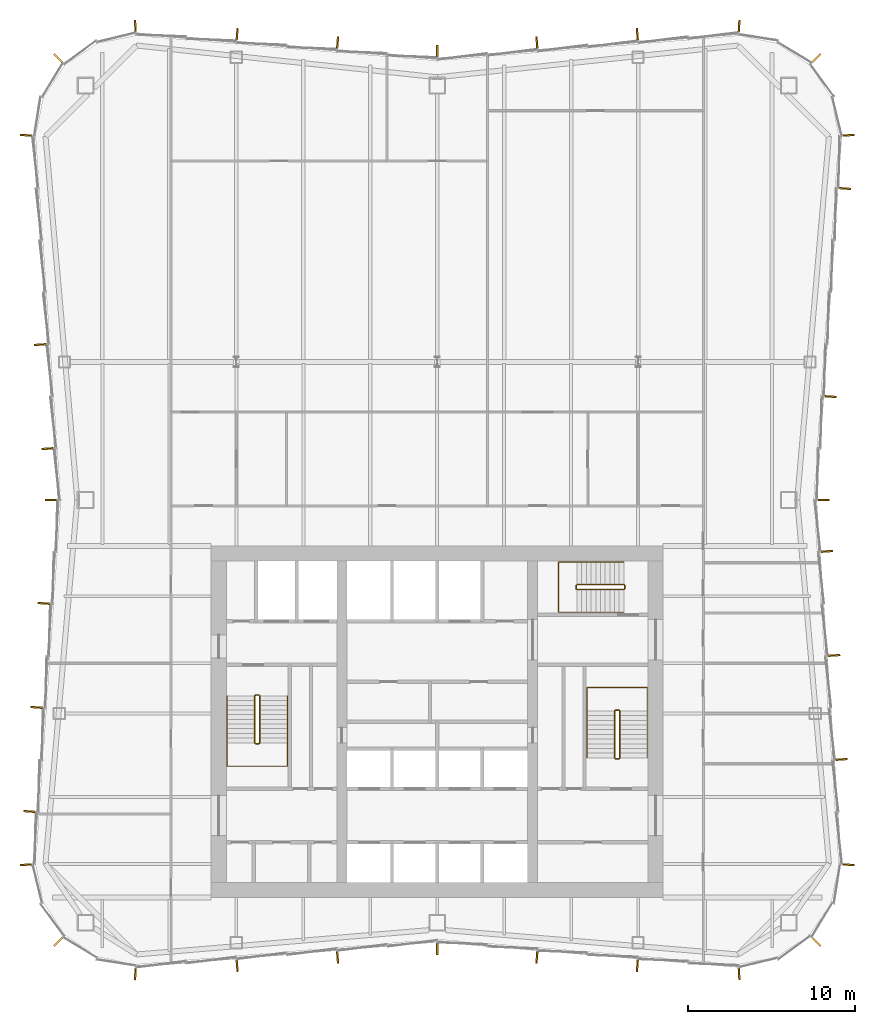
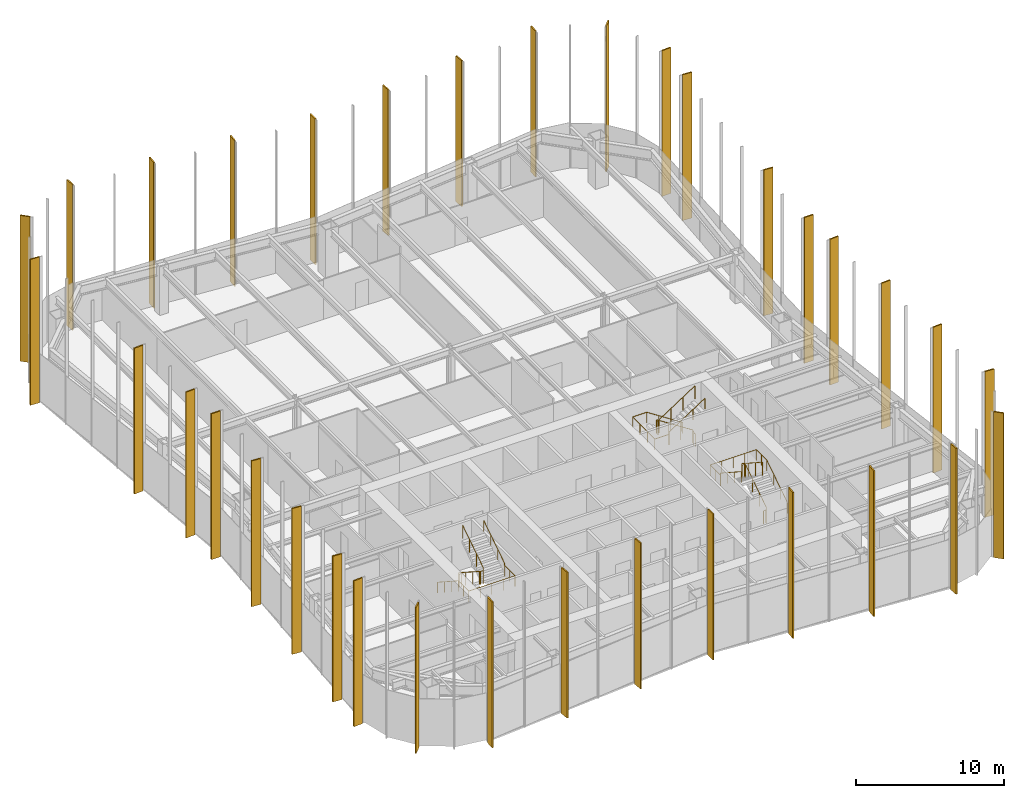
# One storey, part 13 of 13: 34 shading devices, 6 railings.
"""IFC4 building model written with IfcOpenShell, lengths in metres."""

from ifc_helpers import new_model, si_unit, direction, frame, origin, origin_2d, place, context, subcontext, project, spatial, rectangle, circle, extrude, material, layer, layer_set, type_object, element, save


model = new_model("IFC4")

# Units and contexts
model_context = context("Model", 3, precision=1e-05, world=origin(), true_north=direction((0.0, 1.0)))
body_context = subcontext(model_context, "Body", "Model", "MODEL_VIEW")
ifc_project = project(units=[si_unit("LENGTHUNIT", "METRE"), si_unit("AREAUNIT", "SQUARE_METRE"), si_unit("VOLUMEUNIT", "CUBIC_METRE"), si_unit("PLANEANGLEUNIT", "RADIAN"), si_unit("MASSUNIT", "GRAM", prefix="KILO")], contexts=[model_context])

# Site, building, storey
site_placement = place(None, origin())
site = spatial("IfcSite", under=ifc_project, at=site_placement, CompositionType="ELEMENT")
building_placement = place(site_placement, origin())
building = spatial("IfcBuilding", under=site, at=building_placement, Name="Verdant Reach Tower", CompositionType="ELEMENT")
storey_placement = place(building_placement, frame((0.0, 0.0, 206.0)))
storey = spatial("IfcBuildingStorey", under=building, at=storey_placement, Name="L47", CompositionType="ELEMENT", Elevation=206.0)

# Railings
ifc_material_1 = material(Name="Stainless steel", Category="steel")
railing_type_1 = type_object("IfcRailingType", Name="CO-GUARD", PredefinedType="GUARDRAIL", material=ifc_material_1)
railing_1_placement = place(storey_placement, frame((-10.64990234375, 29.60009765625, 0.0)))
element("IfcRailing", 1, at=railing_1_placement, inside=storey, type_object=railing_type_1, Name="L47 ST-1 stair guard 1", PredefinedType="GUARDRAIL", context=body_context, shape_type="SweptSolid", body=[
    extrude(circle(Radius=0.02392578125, at=origin_2d()), frame((0.0, 0.0, 1.076171875), z_axis=(-1.0, 0.0, 0.0), x_axis=(0.0, -1.0, 0.0)), (0.0, 0.0, 1.0), 0.2001953125),
    extrude(circle(Radius=0.02392578125, at=origin_2d()), frame((-0.2001953125, 0.0, 1.076171875), z_axis=(-0.25526617399, -0.256517478764, 0.932222056972), x_axis=(0.708833529934, -0.705375805398, 0.0)), (0.0, 0.0, 1.0), 0.195068359375),
    extrude(circle(Radius=0.02392578125, at=origin_2d()), frame((-0.25, -0.050048828125, 1.2578125), z_axis=(0.0, -0.838705829183, 0.544584733623), x_axis=(1.0, 0.0, 0.0)), (0.0, 0.0, 1.0), 3.338623046875),
    extrude(circle(Radius=0.02392578125, at=origin_2d()), frame((-0.25, -2.85009765625, 3.076171875), z_axis=(0.705375805398, -0.708833529934, 0.0), x_axis=(0.708833529934, 0.705375805398, 0.0)), (0.0, 0.0, 1.0), 0.070556640625),
    extrude(circle(Radius=0.02392578125, at=origin_2d()), frame((-0.2001953125, -2.900146484375, 3.076171875), z_axis=(1.0, 0.0, 0.0), x_axis=(0.0, 1.0, 0.0)), (0.0, 0.0, 1.0), 0.2001953125),
    extrude(circle(Radius=0.02392578125, at=origin_2d()), frame((0.0, -2.900146484375, 3.076171875), z_axis=(0.25526617399, 0.256517478764, 0.932222056972), x_axis=(-0.708833529934, 0.705375805398, 0.0)), (0.0, 0.0, 1.0), 0.195068359375),
    extrude(circle(Radius=0.02392578125, at=origin_2d()), frame((0.0498046875, -2.85009765625, 3.2578125), z_axis=(0.0, 0.838705829183, 0.544584733623), x_axis=(-1.0, 0.0, 0.0)), (0.0, 0.0, 1.0), 3.338623046875),
    extrude(circle(Radius=0.02099609375, at=origin_2d()), origin(), (0.0, 0.0, 1.0), 1.052001953125),
    extrude(circle(Radius=0.02099609375, at=origin_2d()), frame((-0.2001953125, 0.0, 0.0)), (0.0, 0.0, 1.0), 1.052001953125),
    extrude(circle(Radius=0.02099609375, at=origin_2d()), frame((-0.25, -0.050048828125, 0.181884765625)), (0.0, 0.0, 1.0), 1.052001953125),
    extrude(circle(Radius=0.02099609375, at=origin_2d()), frame((-0.25, -0.9833984375, 0.787841796875)), (0.0, 0.0, 1.0), 1.052001953125),
    extrude(circle(Radius=0.02099609375, at=origin_2d()), frame((-0.25, -1.916748046875, 1.39404296875)), (0.0, 0.0, 1.0), 1.052001953125),
    extrude(circle(Radius=0.02099609375, at=origin_2d()), frame((-0.25, -2.85009765625, 2.0)), (0.0, 0.0, 1.0), 1.052001953125),
    extrude(circle(Radius=0.02099609375, at=origin_2d()), frame((-0.2001953125, -2.900146484375, 2.0)), (0.0, 0.0, 1.0), 1.052001953125),
    extrude(circle(Radius=0.02099609375, at=origin_2d()), frame((0.0, -2.900146484375, 2.0)), (0.0, 0.0, 1.0), 1.052001953125),
    extrude(circle(Radius=0.02099609375, at=origin_2d()), frame((0.0498046875, -2.85009765625, 2.181884765625)), (0.0, 0.0, 1.0), 1.052001953125),
    extrude(circle(Radius=0.02099609375, at=origin_2d()), frame((0.0498046875, -1.916748046875, 2.787841796875)), (0.0, 0.0, 1.0), 1.052001953125),
    extrude(circle(Radius=0.02099609375, at=origin_2d()), frame((0.0498046875, -0.9833984375, 3.39404296875)), (0.0, 0.0, 1.0), 1.052001953125),
    extrude(circle(Radius=0.02099609375, at=origin_2d()), frame((0.0498046875, -0.050048828125, 4.0)), (0.0, 0.0, 1.0), 1.052001953125),
])
railing_2_placement = place(storey_placement, frame((10.64990234375, 25.800048828125, 0.0)))
element("IfcRailing", 2, at=railing_2_placement, inside=storey, type_object=railing_type_1, Name="L47 ST-2 stair guard 1", PredefinedType="GUARDRAIL", context=body_context, shape_type="SweptSolid", body=[
    extrude(circle(Radius=0.02392578125, at=origin_2d()), frame((0.0, 0.0, 1.076171875), z_axis=(1.0, 0.0, 0.0), x_axis=(0.0, 1.0, 0.0)), (0.0, 0.0, 1.0), 0.2001953125),
    extrude(circle(Radius=0.02392578125, at=origin_2d()), frame((0.2001953125, 0.0, 1.076171875), z_axis=(0.25526617399, 0.256517478764, 0.932222056972), x_axis=(-0.708833529934, 0.705375805398, 0.0)), (0.0, 0.0, 1.0), 0.195068359375),
    extrude(circle(Radius=0.02392578125, at=origin_2d()), frame((0.25, 0.050048828125, 1.2578125), z_axis=(0.0, 0.83868413941, 0.544618136222), x_axis=(-1.0, 0.0, 0.0)), (0.0, 0.0, 1.0), 3.33837890625),
    extrude(circle(Radius=0.02392578125, at=origin_2d()), frame((0.25, 2.849853515625, 3.076171875), z_axis=(-0.705375805398, 0.708833529934, 0.0), x_axis=(-0.708833529934, -0.705375805398, 0.0)), (0.0, 0.0, 1.0), 0.070556640625),
    extrude(circle(Radius=0.02392578125, at=origin_2d()), frame((0.2001953125, 2.89990234375, 3.076171875), z_axis=(-1.0, 0.0, 0.0), x_axis=(0.0, -1.0, 0.0)), (0.0, 0.0, 1.0), 0.2001953125),
    extrude(circle(Radius=0.02392578125, at=origin_2d()), frame((0.0, 2.89990234375, 3.076171875), z_axis=(-0.25526617399, -0.256517478764, 0.932222056972), x_axis=(0.708833529934, -0.705375805398, 0.0)), (0.0, 0.0, 1.0), 0.195068359375),
    extrude(circle(Radius=0.02392578125, at=origin_2d()), frame((-0.0498046875, 2.849853515625, 3.2578125), z_axis=(0.0, -0.83868413941, 0.544618136222), x_axis=(1.0, 0.0, 0.0)), (0.0, 0.0, 1.0), 3.33837890625),
    extrude(circle(Radius=0.02099609375, at=origin_2d()), origin(), (0.0, 0.0, 1.0), 1.052001953125),
    extrude(circle(Radius=0.02099609375, at=origin_2d()), frame((0.2001953125, 0.0, 0.0)), (0.0, 0.0, 1.0), 1.052001953125),
    extrude(circle(Radius=0.02099609375, at=origin_2d()), frame((0.25, 0.050048828125, 0.181884765625)), (0.0, 0.0, 1.0), 1.052001953125),
    extrude(circle(Radius=0.02099609375, at=origin_2d()), frame((0.25, 0.9833984375, 0.787841796875)), (0.0, 0.0, 1.0), 1.052001953125),
    extrude(circle(Radius=0.02099609375, at=origin_2d()), frame((0.25, 1.91650390625, 1.39404296875)), (0.0, 0.0, 1.0), 1.052001953125),
    extrude(circle(Radius=0.02099609375, at=origin_2d()), frame((0.25, 2.849853515625, 2.0)), (0.0, 0.0, 1.0), 1.052001953125),
    extrude(circle(Radius=0.02099609375, at=origin_2d()), frame((0.2001953125, 2.89990234375, 2.0)), (0.0, 0.0, 1.0), 1.052001953125),
    extrude(circle(Radius=0.02099609375, at=origin_2d()), frame((0.0, 2.89990234375, 2.0)), (0.0, 0.0, 1.0), 1.052001953125),
    extrude(circle(Radius=0.02099609375, at=origin_2d()), frame((-0.0498046875, 2.849853515625, 2.181884765625)), (0.0, 0.0, 1.0), 1.052001953125),
    extrude(circle(Radius=0.02099609375, at=origin_2d()), frame((-0.0498046875, 1.91650390625, 2.787841796875)), (0.0, 0.0, 1.0), 1.052001953125),
    extrude(circle(Radius=0.02099609375, at=origin_2d()), frame((-0.0498046875, 0.9833984375, 3.39404296875)), (0.0, 0.0, 1.0), 1.052001953125),
    extrude(circle(Radius=0.02099609375, at=origin_2d()), frame((-0.0498046875, 0.050048828125, 4.0)), (0.0, 0.0, 1.0), 1.052001953125),
])
railing_3_placement = place(storey_placement, frame((11.199951171875, 35.949951171875, 0.0)))
element("IfcRailing", 3, at=railing_3_placement, inside=storey, type_object=railing_type_1, Name="L47 ST-3 stair guard 1", PredefinedType="GUARDRAIL", context=body_context, shape_type="SweptSolid", body=[
    extrude(circle(Radius=0.02392578125, at=origin_2d()), frame((0.0, 0.0, 1.076171875), z_axis=(0.0, 1.0, 0.0), x_axis=(-1.0, 0.0, 0.0)), (0.0, 0.0, 1.0), 0.199951171875),
    extrude(circle(Radius=0.02392578125, at=origin_2d()), frame((0.0, 0.199951171875, 1.076171875), z_axis=(-0.256435381639, 0.256435381639, 0.931923704005), x_axis=(-0.707106781187, -0.707106781187, 0.0)), (0.0, 0.0, 1.0), 0.195068359375),
    extrude(circle(Radius=0.02392578125, at=origin_2d()), frame((-0.050048828125, 0.25, 1.2578125), z_axis=(-0.83868413941, 0.0, 0.544618136222), x_axis=(0.0, -1.0, 0.0)), (0.0, 0.0, 1.0), 3.33837890625),
    extrude(circle(Radius=0.02392578125, at=origin_2d()), frame((-2.849853515625, 0.25, 3.076171875), z_axis=(-0.707106781187, -0.707106781187, 0.0), x_axis=(0.707106781187, -0.707106781187, 0.0)), (0.0, 0.0, 1.0), 0.07080078125),
    extrude(circle(Radius=0.02392578125, at=origin_2d()), frame((-2.89990234375, 0.199951171875, 3.076171875), z_axis=(0.0, -1.0, 0.0), x_axis=(1.0, 0.0, 0.0)), (0.0, 0.0, 1.0), 0.199951171875),
    extrude(circle(Radius=0.02392578125, at=origin_2d()), frame((-2.89990234375, 0.0, 3.076171875), z_axis=(0.256435381639, -0.256435381639, 0.931923704005), x_axis=(0.707106781187, 0.707106781187, 0.0)), (0.0, 0.0, 1.0), 0.195068359375),
    extrude(circle(Radius=0.02392578125, at=origin_2d()), frame((-2.849853515625, -0.050048828125, 3.2578125), z_axis=(0.83868413941, 0.0, 0.544618136222), x_axis=(0.0, 1.0, 0.0)), (0.0, 0.0, 1.0), 3.33837890625),
    extrude(circle(Radius=0.02099609375, at=origin_2d()), origin(), (0.0, 0.0, 1.0), 1.052001953125),
    extrude(circle(Radius=0.02099609375, at=origin_2d()), frame((0.0, 0.199951171875, 0.0)), (0.0, 0.0, 1.0), 1.052001953125),
    extrude(circle(Radius=0.02099609375, at=origin_2d()), frame((-0.050048828125, 0.25, 0.181884765625)), (0.0, 0.0, 1.0), 1.052001953125),
    extrude(circle(Radius=0.02099609375, at=origin_2d()), frame((-0.9833984375, 0.25, 0.787841796875)), (0.0, 0.0, 1.0), 1.052001953125),
    extrude(circle(Radius=0.02099609375, at=origin_2d()), frame((-1.91650390625, 0.25, 1.39404296875)), (0.0, 0.0, 1.0), 1.052001953125),
    extrude(circle(Radius=0.02099609375, at=origin_2d()), frame((-2.849853515625, 0.25, 2.0)), (0.0, 0.0, 1.0), 1.052001953125),
    extrude(circle(Radius=0.02099609375, at=origin_2d()), frame((-2.89990234375, 0.199951171875, 2.0)), (0.0, 0.0, 1.0), 1.052001953125),
    extrude(circle(Radius=0.02099609375, at=origin_2d()), frame((-2.89990234375, 0.0, 2.0)), (0.0, 0.0, 1.0), 1.052001953125),
    extrude(circle(Radius=0.02099609375, at=origin_2d()), frame((-2.849853515625, -0.050048828125, 2.181884765625)), (0.0, 0.0, 1.0), 1.052001953125),
    extrude(circle(Radius=0.02099609375, at=origin_2d()), frame((-1.91650390625, -0.050048828125, 2.787841796875)), (0.0, 0.0, 1.0), 1.052001953125),
    extrude(circle(Radius=0.02099609375, at=origin_2d()), frame((-0.9833984375, -0.050048828125, 3.39404296875)), (0.0, 0.0, 1.0), 1.052001953125),
    extrude(circle(Radius=0.02099609375, at=origin_2d()), frame((-0.050048828125, -0.050048828125, 4.0)), (0.0, 0.0, 1.0), 1.052001953125),
])
railing_type_2 = type_object("IfcRailingType", Name="CO-HANDRAIL", PredefinedType="HANDRAIL", material=ifc_material_1)
railing_4_placement = place(storey_placement, frame((-12.550048828125, 29.550048828125, 0.181884765625)))
element("IfcRailing", 4, at=railing_4_placement, inside=storey, type_object=railing_type_2, Name="L47 ST-1 stair handrail 1", PredefinedType="HANDRAIL", context=body_context, shape_type="SweptSolid", body=[
    extrude(circle(Radius=0.02392578125, at=origin_2d()), frame((0.0, 0.0, 0.8759765625), z_axis=(0.0, -0.838705829183, 0.544584733623), x_axis=(1.0, 0.0, 0.0)), (0.0, 0.0, 1.0), 3.338623046875),
    extrude(circle(Radius=0.02392578125, at=origin_2d()), frame((0.0, -2.800048828125, 2.69384765625), z_axis=(0.0, -1.0, 0.0), x_axis=(1.0, 0.0, 0.0)), (0.0, 0.0, 1.0), 1.39990234375),
    extrude(circle(Radius=0.02392578125, at=origin_2d()), frame((0.0, -4.199951171875, 2.69384765625), z_axis=(1.0, 0.0, 0.0), x_axis=(0.0, 1.0, 0.0)), (0.0, 0.0, 1.0), 3.60009765625),
    extrude(circle(Radius=0.02392578125, at=origin_2d()), frame((3.60009765625, -4.199951171875, 2.69384765625), z_axis=(0.0, 1.0, 0.0), x_axis=(-1.0, 0.0, 0.0)), (0.0, 0.0, 1.0), 1.39990234375),
    extrude(circle(Radius=0.02392578125, at=origin_2d()), frame((3.60009765625, -2.800048828125, 2.69384765625), z_axis=(0.0, 0.0, 1.0), x_axis=(1.0, 0.0, 0.0)), (0.0, 0.0, 1.0), 0.181884765625),
    extrude(circle(Radius=0.02392578125, at=origin_2d()), frame((3.60009765625, -2.800048828125, 2.8759765625), z_axis=(0.0, 0.838705829183, 0.544584733623), x_axis=(-1.0, 0.0, 0.0)), (0.0, 0.0, 1.0), 3.338623046875),
    extrude(circle(Radius=0.02099609375, at=origin_2d()), origin(), (0.0, 0.0, 1.0), 0.851806640625),
    extrude(circle(Radius=0.02099609375, at=origin_2d()), frame((0.0, -0.933349609375, 0.60595703125)), (0.0, 0.0, 1.0), 0.851806640625),
    extrude(circle(Radius=0.02099609375, at=origin_2d()), frame((0.0, -1.86669921875, 1.212158203125)), (0.0, 0.0, 1.0), 0.851806640625),
    extrude(circle(Radius=0.02099609375, at=origin_2d()), frame((0.0, -2.800048828125, 1.818115234375)), (0.0, 0.0, 1.0), 0.851806640625),
    extrude(circle(Radius=0.02099609375, at=origin_2d()), frame((0.0, -3.5, 1.818115234375)), (0.0, 0.0, 1.0), 0.851806640625),
    extrude(circle(Radius=0.02099609375, at=origin_2d()), frame((0.0, -4.199951171875, 1.818115234375)), (0.0, 0.0, 1.0), 0.851806640625),
    extrude(circle(Radius=0.02099609375, at=origin_2d()), frame((0.89990234375, -4.199951171875, 1.818115234375)), (0.0, 0.0, 1.0), 0.851806640625),
    extrude(circle(Radius=0.02099609375, at=origin_2d()), frame((1.800048828125, -4.199951171875, 1.818115234375)), (0.0, 0.0, 1.0), 0.851806640625),
    extrude(circle(Radius=0.02099609375, at=origin_2d()), frame((2.7001953125, -4.199951171875, 1.818115234375)), (0.0, 0.0, 1.0), 0.851806640625),
    extrude(circle(Radius=0.02099609375, at=origin_2d()), frame((3.60009765625, -4.199951171875, 1.818115234375)), (0.0, 0.0, 1.0), 0.851806640625),
    extrude(circle(Radius=0.02099609375, at=origin_2d()), frame((3.60009765625, -3.5, 1.818115234375)), (0.0, 0.0, 1.0), 0.851806640625),
    extrude(circle(Radius=0.02099609375, at=origin_2d()), frame((3.60009765625, -2.800048828125, 1.818115234375)), (0.0, 0.0, 1.0), 0.851806640625),
    extrude(circle(Radius=0.02099609375, at=origin_2d()), frame((3.60009765625, -2.800048828125, 2.0)), (0.0, 0.0, 1.0), 0.851806640625),
    extrude(circle(Radius=0.02099609375, at=origin_2d()), frame((3.60009765625, -1.86669921875, 2.60595703125)), (0.0, 0.0, 1.0), 0.851806640625),
    extrude(circle(Radius=0.02099609375, at=origin_2d()), frame((3.60009765625, -0.933349609375, 3.212158203125)), (0.0, 0.0, 1.0), 0.851806640625),
    extrude(circle(Radius=0.02099609375, at=origin_2d()), frame((3.60009765625, 0.0, 3.818115234375)), (0.0, 0.0, 1.0), 0.851806640625),
])
railing_5_placement = place(storey_placement, frame((12.550048828125, 25.85009765625, 0.181884765625)))
element("IfcRailing", 5, at=railing_5_placement, inside=storey, type_object=railing_type_2, Name="L47 ST-2 stair handrail 1", PredefinedType="HANDRAIL", context=body_context, shape_type="SweptSolid", body=[
    extrude(circle(Radius=0.02392578125, at=origin_2d()), frame((0.0, 0.0, 0.8759765625), z_axis=(0.0, 0.83868413941, 0.544618136222), x_axis=(-1.0, 0.0, 0.0)), (0.0, 0.0, 1.0), 3.33837890625),
    extrude(circle(Radius=0.02392578125, at=origin_2d()), frame((0.0, 2.7998046875, 2.69384765625), z_axis=(0.0, 1.0, 0.0), x_axis=(-1.0, 0.0, 0.0)), (0.0, 0.0, 1.0), 1.400146484375),
    extrude(circle(Radius=0.02392578125, at=origin_2d()), frame((0.0, 4.199951171875, 2.69384765625), z_axis=(-1.0, 0.0, 0.0), x_axis=(0.0, -1.0, 0.0)), (0.0, 0.0, 1.0), 3.60009765625),
    extrude(circle(Radius=0.02392578125, at=origin_2d()), frame((-3.60009765625, 4.199951171875, 2.69384765625), z_axis=(0.0, -1.0, 0.0), x_axis=(1.0, 0.0, 0.0)), (0.0, 0.0, 1.0), 1.400146484375),
    extrude(circle(Radius=0.02392578125, at=origin_2d()), frame((-3.60009765625, 2.7998046875, 2.69384765625), z_axis=(0.0, 0.0, 1.0), x_axis=(1.0, 0.0, 0.0)), (0.0, 0.0, 1.0), 0.181884765625),
    extrude(circle(Radius=0.02392578125, at=origin_2d()), frame((-3.60009765625, 2.7998046875, 2.8759765625), z_axis=(0.0, -0.83868413941, 0.544618136222), x_axis=(1.0, 0.0, 0.0)), (0.0, 0.0, 1.0), 3.33837890625),
    extrude(circle(Radius=0.02099609375, at=origin_2d()), origin(), (0.0, 0.0, 1.0), 0.851806640625),
    extrude(circle(Radius=0.02099609375, at=origin_2d()), frame((0.0, 0.933349609375, 0.60595703125)), (0.0, 0.0, 1.0), 0.851806640625),
    extrude(circle(Radius=0.02099609375, at=origin_2d()), frame((0.0, 1.866455078125, 1.212158203125)), (0.0, 0.0, 1.0), 0.851806640625),
    extrude(circle(Radius=0.02099609375, at=origin_2d()), frame((0.0, 2.7998046875, 1.818115234375)), (0.0, 0.0, 1.0), 0.851806640625),
    extrude(circle(Radius=0.02099609375, at=origin_2d()), frame((0.0, 3.5, 1.818115234375)), (0.0, 0.0, 1.0), 0.851806640625),
    extrude(circle(Radius=0.02099609375, at=origin_2d()), frame((0.0, 4.199951171875, 1.818115234375)), (0.0, 0.0, 1.0), 0.851806640625),
    extrude(circle(Radius=0.02099609375, at=origin_2d()), frame((-0.89990234375, 4.199951171875, 1.818115234375)), (0.0, 0.0, 1.0), 0.851806640625),
    extrude(circle(Radius=0.02099609375, at=origin_2d()), frame((-1.800048828125, 4.199951171875, 1.818115234375)), (0.0, 0.0, 1.0), 0.851806640625),
    extrude(circle(Radius=0.02099609375, at=origin_2d()), frame((-2.7001953125, 4.199951171875, 1.818115234375)), (0.0, 0.0, 1.0), 0.851806640625),
    extrude(circle(Radius=0.02099609375, at=origin_2d()), frame((-3.60009765625, 4.199951171875, 1.818115234375)), (0.0, 0.0, 1.0), 0.851806640625),
    extrude(circle(Radius=0.02099609375, at=origin_2d()), frame((-3.60009765625, 3.5, 1.818115234375)), (0.0, 0.0, 1.0), 0.851806640625),
    extrude(circle(Radius=0.02099609375, at=origin_2d()), frame((-3.60009765625, 2.7998046875, 1.818115234375)), (0.0, 0.0, 1.0), 0.851806640625),
    extrude(circle(Radius=0.02099609375, at=origin_2d()), frame((-3.60009765625, 2.7998046875, 2.0)), (0.0, 0.0, 1.0), 0.851806640625),
    extrude(circle(Radius=0.02099609375, at=origin_2d()), frame((-3.60009765625, 1.866455078125, 2.60595703125)), (0.0, 0.0, 1.0), 0.851806640625),
    extrude(circle(Radius=0.02099609375, at=origin_2d()), frame((-3.60009765625, 0.933349609375, 3.212158203125)), (0.0, 0.0, 1.0), 0.851806640625),
    extrude(circle(Radius=0.02099609375, at=origin_2d()), frame((-3.60009765625, 0.0, 3.818115234375)), (0.0, 0.0, 1.0), 0.851806640625),
])
railing_6_placement = place(storey_placement, frame((11.14990234375, 37.550048828125, 0.181884765625)))
element("IfcRailing", 6, at=railing_6_placement, inside=storey, type_object=railing_type_2, Name="L47 ST-3 stair handrail 1", PredefinedType="HANDRAIL", context=body_context, shape_type="SweptSolid", body=[
    extrude(circle(Radius=0.02392578125, at=origin_2d()), frame((0.0, 0.0, 0.8759765625), z_axis=(-0.83868413941, 0.0, 0.544618136222), x_axis=(0.0, -1.0, 0.0)), (0.0, 0.0, 1.0), 3.33837890625),
    extrude(circle(Radius=0.02392578125, at=origin_2d()), frame((-2.7998046875, 0.0, 2.69384765625), z_axis=(-1.0, 0.0, 0.0), x_axis=(0.0, -1.0, 0.0)), (0.0, 0.0, 1.0), 1.10009765625),
    extrude(circle(Radius=0.02392578125, at=origin_2d()), frame((-3.89990234375, 0.0, 2.69384765625), z_axis=(0.0, -1.0, 0.0), x_axis=(1.0, 0.0, 0.0)), (0.0, 0.0, 1.0), 3.0),
    extrude(circle(Radius=0.02392578125, at=origin_2d()), frame((-3.89990234375, -3.0, 2.69384765625), z_axis=(1.0, 0.0, 0.0), x_axis=(0.0, 1.0, 0.0)), (0.0, 0.0, 1.0), 1.10009765625),
    extrude(circle(Radius=0.02392578125, at=origin_2d()), frame((-2.7998046875, -3.0, 2.69384765625), z_axis=(0.0, 0.0, 1.0), x_axis=(1.0, 0.0, 0.0)), (0.0, 0.0, 1.0), 0.181884765625),
    extrude(circle(Radius=0.02392578125, at=origin_2d()), frame((-2.7998046875, -3.0, 2.8759765625), z_axis=(0.83868413941, 0.0, 0.544618136222), x_axis=(0.0, 1.0, 0.0)), (0.0, 0.0, 1.0), 3.33837890625),
    extrude(circle(Radius=0.02099609375, at=origin_2d()), origin(), (0.0, 0.0, 1.0), 0.851806640625),
    extrude(circle(Radius=0.02099609375, at=origin_2d()), frame((-0.933349609375, 0.0, 0.60595703125)), (0.0, 0.0, 1.0), 0.851806640625),
    extrude(circle(Radius=0.02099609375, at=origin_2d()), frame((-1.866455078125, 0.0, 1.212158203125)), (0.0, 0.0, 1.0), 0.851806640625),
    extrude(circle(Radius=0.02099609375, at=origin_2d()), frame((-2.7998046875, 0.0, 1.818115234375)), (0.0, 0.0, 1.0), 0.851806640625),
    extrude(circle(Radius=0.02099609375, at=origin_2d()), frame((-3.89990234375, 0.0, 1.818115234375)), (0.0, 0.0, 1.0), 0.851806640625),
    extrude(circle(Radius=0.02099609375, at=origin_2d()), frame((-3.89990234375, -1.0, 1.818115234375)), (0.0, 0.0, 1.0), 0.851806640625),
    extrude(circle(Radius=0.02099609375, at=origin_2d()), frame((-3.89990234375, -2.0, 1.818115234375)), (0.0, 0.0, 1.0), 0.851806640625),
    extrude(circle(Radius=0.02099609375, at=origin_2d()), frame((-3.89990234375, -3.0, 1.818115234375)), (0.0, 0.0, 1.0), 0.851806640625),
    extrude(circle(Radius=0.02099609375, at=origin_2d()), frame((-2.7998046875, -3.0, 1.818115234375)), (0.0, 0.0, 1.0), 0.851806640625),
    extrude(circle(Radius=0.02099609375, at=origin_2d()), frame((-2.7998046875, -3.0, 2.0)), (0.0, 0.0, 1.0), 0.851806640625),
    extrude(circle(Radius=0.02099609375, at=origin_2d()), frame((-1.866455078125, -3.0, 2.60595703125)), (0.0, 0.0, 1.0), 0.851806640625),
    extrude(circle(Radius=0.02099609375, at=origin_2d()), frame((-0.933349609375, -3.0, 3.212158203125)), (0.0, 0.0, 1.0), 0.851806640625),
    extrude(circle(Radius=0.02099609375, at=origin_2d()), frame((0.0, -3.0, 3.818115234375)), (0.0, 0.0, 1.0), 0.851806640625),
])

# Shading devices
ifc_material_2 = material(Name="Bronze fin, champagne", Category="aluminium")
ifc_layer_1 = layer(ifc_material_2, 0.10009765625)
ifc_layer_set_1 = layer_set([ifc_layer_1], Name="EN-FIN CHAMPAGNE")
shading_device_type_1 = type_object("IfcShadingDeviceType", Name="EN-FIN CHAMPAGNE", PredefinedType="USERDEFINED", material=ifc_layer_set_1)
for number, where, z_axis, x_axis, name in (
    (7, (18.0322265625, 12.932861328125, -0.35009765625), (0.0, 0.0, 1.0), (0.998398681387, 0.056569187765, 0.0), "Fin south-east corner 1, L47"),
    (8, (23.70947265625, 31.967529296875, -0.35009765625), (0.0, 0.0, 1.0), (-0.068802091615, 0.997630328423, 0.0), "Fin east face part 1 5, L47"),
    (9, (23.281005859375, 38.181884765625, -0.35009765625), (0.0, 0.0, 1.0), (-0.068802091615, 0.997630328423, 0.0), "Fin east face part 1 7, L47"),
    (10, (23.068115234375, 41.25, -0.35009765625), (0.0, 0.0, 1.0), (0.0, 1.0, 0.0), "Fin east face part 2 1, L47"),
    (11, (24.352294921875, 59.853759765625, -0.35009765625), (0.0, 0.0, 1.0), (0.068802091615, 0.997630328423, 0.0), "Fin east face part 2 7, L47"),
    (12, (5.952880859375, 68.56591796875, -0.35009765625), (0.0, 0.0, 1.0), (-0.996545758244, -0.083045479859, 0.0), "Fin north face part 1 5, L47"),
    (13, (-11.952880859375, 69.06591796875, -0.35009765625), (0.0, 0.0, 1.0), (-0.996545758244, 0.083045479859, 0.0), "Fin north face part 2 5, L47"),
    (14, (-23.4951171875, 35.07470703125, -0.35009765625), (0.0, 0.0, 1.0), (-0.068802091615, -0.997630328423, 0.0), "Fin west face part 2 3, L47"),
    (15, (-23.923828125, 28.860595703125, -0.35009765625), (0.0, 0.0, 1.0), (-0.068802091615, -0.997630328423, 0.0), "Fin west face part 2 5, L47"),
    (16, (-22.644287109375, 14.855712890625, -0.35009765625), (0.0, 0.0, 1.0), (0.707106781187, -0.707106781187, 0.0), "Fin south-west corner 3, L47"),
    (17, (-18.0322265625, 12.932861328125, -0.35009765625), (0.0, 0.0, 1.0), (0.998398681387, -0.056569187765, 0.0), "Fin south face part 1 1, L47"),
    (18, (0.0, 14.431884765625, -0.35009765625), (0.0, 0.0, 1.0), (1.0, 0.0, 0.0), "Fin south face part 2 1, L47"),
    (19, (5.952880859375, 13.93408203125, -0.35009765625), (0.0, 0.0, 1.0), (0.996545758244, -0.083045479859, 0.0), "Fin south face part 2 3, L47"),
):
    element("IfcShadingDevice", number, at=place(storey_placement, frame(where, z_axis=z_axis, x_axis=x_axis)), inside=storey, type_object=shading_device_type_1, Name=name, ObjectType="FIN", PredefinedType="USERDEFINED", context=body_context, shape_type="SweptSolid", body=[
        extrude(rectangle(XDim=0.10009765625, YDim=0.699951171875, at=origin_2d()), origin(), (0.0, 0.0, 1.0), 12.0),
    ])
ifc_material_3 = material(Name="Bronze fin, copper", Category="aluminium")
ifc_layer_2 = layer(ifc_material_3, 0.10009765625)
ifc_layer_set_2 = layer_set([ifc_layer_2], Name="EN-FIN COPPER")
shading_device_type_2 = type_object("IfcShadingDeviceType", Name="EN-FIN COPPER", PredefinedType="USERDEFINED", material=ifc_layer_set_2)
for number, where, z_axis, x_axis, name in (
    (20, (22.644287109375, 14.855712890625, -0.35009765625), (0.0, 0.0, 1.0), (0.707106781187, 0.707106781187, 0.0), "Fin south-east corner 3, L47"),
    (21, (24.56689453125, 19.4638671875, -0.35009765625), (0.0, 0.0, 1.0), (0.063698618332, 0.997969180898, 0.0), "Fin east face part 1 1, L47"),
    (22, (23.4951171875, 47.42529296875, -0.35009765625), (0.0, 0.0, 1.0), (0.068802091615, 0.997630328423, 0.0), "Fin east face part 2 3, L47"),
    (23, (24.56689453125, 63.0361328125, -0.35009765625), (0.0, 0.0, 1.0), (-0.063698618332, 0.997969180898, 0.0), "Fin north-east corner 1, L47"),
    (24, (0.0, 68.068115234375, -0.35009765625), (0.0, 0.0, 1.0), (-1.0, 0.0, 0.0), "Fin north face part 2 1, L47"),
    (25, (-23.70947265625, 50.532470703125, -0.35009765625), (0.0, 0.0, 1.0), (0.068802091615, -0.997630328423, 0.0), "Fin west face part 1 5, L47"),
    (26, (-24.352294921875, 22.646240234375, -0.35009765625), (0.0, 0.0, 1.0), (-0.068802091615, -0.997630328423, 0.0), "Fin west face part 2 7, L47"),
    (27, (-11.952880859375, 13.43408203125, -0.35009765625), (0.0, 0.0, 1.0), (0.996545758244, 0.083045479859, 0.0), "Fin south face part 1 3, L47"),
    (28, (11.952880859375, 13.43408203125, -0.35009765625), (0.0, 0.0, 1.0), (0.996545758244, -0.083045479859, 0.0), "Fin south face part 2 5, L47"),
):
    element("IfcShadingDevice", number, at=place(storey_placement, frame(where, z_axis=z_axis, x_axis=x_axis)), inside=storey, type_object=shading_device_type_2, Name=name, ObjectType="FIN", PredefinedType="USERDEFINED", context=body_context, shape_type="SweptSolid", body=[
        extrude(rectangle(XDim=0.10009765625, YDim=0.699951171875, at=origin_2d()), origin(), (0.0, 0.0, 1.0), 12.0),
    ])
ifc_material_4 = material(Name="Bronze fin, dark bronze", Category="aluminium")
ifc_layer_3 = layer(ifc_material_4, 0.10009765625)
ifc_layer_set_3 = layer_set([ifc_layer_3], Name="EN-FIN DARK")
shading_device_type_3 = type_object("IfcShadingDeviceType", Name="EN-FIN DARK", PredefinedType="USERDEFINED", material=ifc_layer_set_3)
for number, where, z_axis, x_axis, name in (
    (29, (24.13818359375, 25.75341796875, -0.35009765625), (0.0, 0.0, 1.0), (-0.068802091615, 0.997630328423, 0.0), "Fin east face part 1 3, L47"),
    (30, (22.644287109375, 67.644287109375, -0.35009765625), (0.0, 0.0, 1.0), (-0.707106781187, 0.707106781187, 0.0), "Fin north-east corner 3, L47"),
    (31, (18.0322265625, 69.567138671875, -0.35009765625), (0.0, 0.0, 1.0), (-0.998398681387, 0.056569187765, 0.0), "Fin north face part 1 1, L47"),
    (32, (11.952880859375, 69.06591796875, -0.35009765625), (0.0, 0.0, 1.0), (-0.996545758244, -0.083045479859, 0.0), "Fin north face part 1 3, L47"),
    (33, (-5.952880859375, 68.56591796875, -0.35009765625), (0.0, 0.0, 1.0), (-0.996545758244, 0.083045479859, 0.0), "Fin north face part 2 3, L47"),
    (34, (-18.0322265625, 69.567138671875, -0.35009765625), (0.0, 0.0, 1.0), (-0.998398681387, -0.056569187765, 0.0), "Fin north-west corner 1, L47"),
    (35, (-22.644287109375, 67.644287109375, -0.35009765625), (0.0, 0.0, 1.0), (-0.707106781187, -0.707106781187, 0.0), "Fin north-west corner 3, L47"),
    (36, (-24.56689453125, 63.0361328125, -0.35009765625), (0.0, 0.0, 1.0), (-0.063698618332, -0.997969180898, 0.0), "Fin west face part 1 1, L47"),
    (37, (-23.281005859375, 44.318115234375, -0.35009765625), (0.0, 0.0, 1.0), (0.068802091615, -0.997630328423, 0.0), "Fin west face part 1 7, L47"),
    (38, (-23.068115234375, 41.25, -0.35009765625), (0.0, 0.0, 1.0), (0.0, -1.0, 0.0), "Fin west face part 2 1, L47"),
    (39, (-24.56689453125, 19.4638671875, -0.35009765625), (0.0, 0.0, 1.0), (0.063698618332, -0.997969180898, 0.0), "Fin south-west corner 1, L47"),
    (40, (-5.952880859375, 13.93408203125, -0.35009765625), (0.0, 0.0, 1.0), (0.996545758244, 0.083045479859, 0.0), "Fin south face part 1 5, L47"),
):
    element("IfcShadingDevice", number, at=place(storey_placement, frame(where, z_axis=z_axis, x_axis=x_axis)), inside=storey, type_object=shading_device_type_3, Name=name, ObjectType="FIN", PredefinedType="USERDEFINED", context=body_context, shape_type="SweptSolid", body=[
        extrude(rectangle(XDim=0.10009765625, YDim=0.699951171875, at=origin_2d()), origin(), (0.0, 0.0, 1.0), 12.0),
    ])

save(model, "model.ifc")
